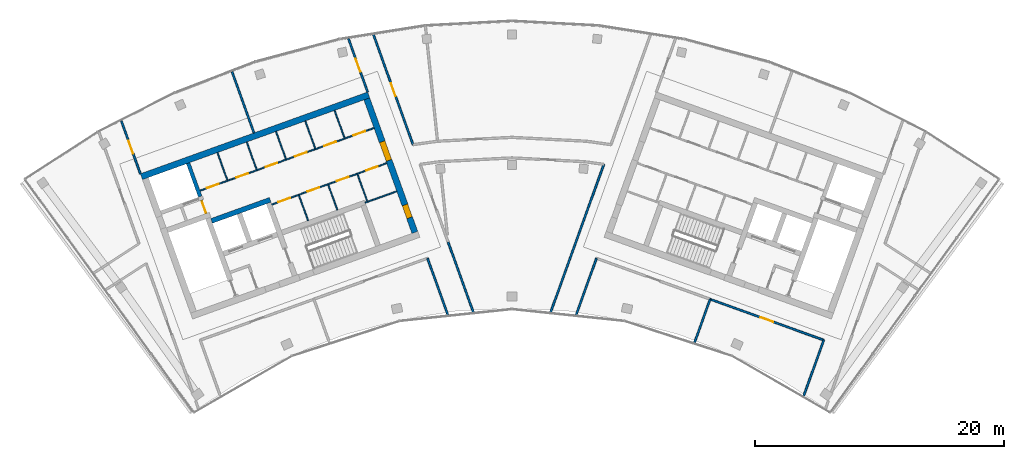
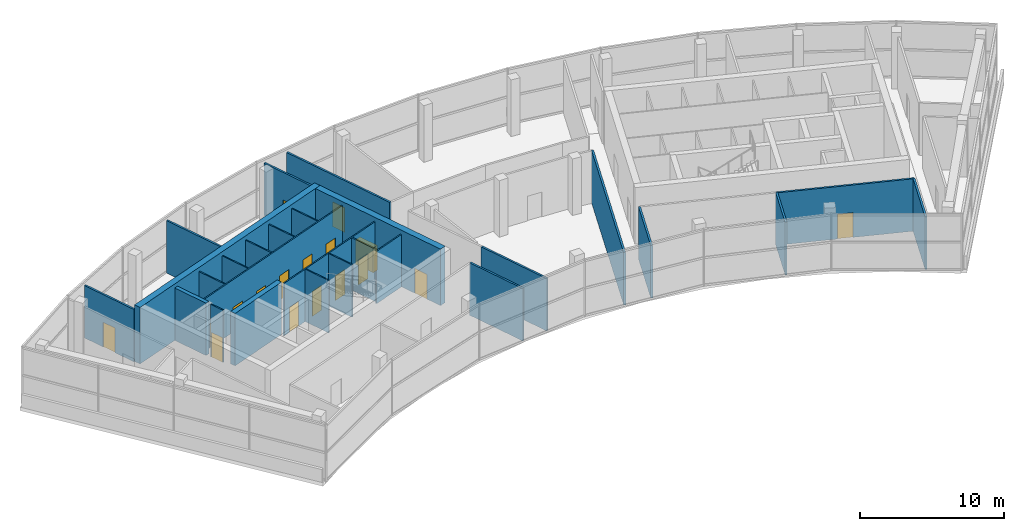
# One storey, part 9 of 13: 27 walls, 17 doors, 17 openings.
"""IFC4 building model written with IfcOpenShell, lengths in metres."""

from ifc_helpers import new_model, si_unit, direction, frame, frame_2d, origin, place, context, subcontext, project, spatial, rectangle, extrude, material, layer, layer_set, type_object, element, fill, save


model = new_model("IFC4")

# Units and contexts
model_context = context("Model", 3, precision=1e-05, world=origin(), true_north=direction((0.0, 1.0)))
body_context = subcontext(model_context, "Body", "Model", "MODEL_VIEW")
ifc_project = project(units=[si_unit("LENGTHUNIT", "METRE"), si_unit("AREAUNIT", "SQUARE_METRE"), si_unit("VOLUMEUNIT", "CUBIC_METRE"), si_unit("PLANEANGLEUNIT", "RADIAN"), si_unit("MASSUNIT", "GRAM", prefix="KILO")], contexts=[model_context])

# Site, building, storey
site_placement = place(None, origin())
site = spatial("IfcSite", under=ifc_project, at=site_placement, CompositionType="ELEMENT")
building_placement = place(site_placement, origin())
building = spatial("IfcBuilding", under=site, at=building_placement, Name="Stone Belt Terrace Tower", CompositionType="ELEMENT")
storey_placement = place(building_placement, frame((0.0, 0.0, 332.60009765625)))
storey = spatial("IfcBuildingStorey", under=building, at=storey_placement, Name="L79", CompositionType="ELEMENT", Elevation=332.60009765625)

# Wall, opening, door
ifc_material_1 = material(Name="Plasterboard partition")
ifc_layer_1 = layer(ifc_material_1, 0.10009765625)
ifc_layer_set_1 = layer_set([ifc_layer_1], Name="Core partition 100")
wall_type_1 = type_object("IfcWallType", Name="Core partition 100", PredefinedType="PARTITIONING", material=ifc_layer_set_1)
wall_1_placement = place(storey_placement, frame((-24.555908203125, 51.10400390625, 0.0), z_axis=(0.0, 0.0, 1.0), x_axis=(-0.338621735342, 0.94092258999, 0.0)))
wall_1 = element("IfcWall", 1, at=wall_1_placement, inside=storey, type_object=wall_type_1, Name="Core A wall", PredefinedType="PARTITIONING", context=body_context, shape_type="SweptSolid", body=[
    extrude(rectangle(XDim=1.14990234375, YDim=0.10009765625, at=frame_2d((0.574951171875, 0.0))), origin(), (0.0, 0.0, 1.0), 4.449951171875),
])
opening_1_placement = place(wall_1_placement, frame((0.050048828125, 0.0, 0.0)))
opening_1 = element("IfcOpeningElement", 2, at=opening_1_placement, cuts=wall_1, Name="Opening L79-C12", PredefinedType="OPENING", context=body_context, shape_type="SweptSolid", body=[
    extrude(rectangle(XDim=1.0, YDim=2.10009765625, at=frame_2d((0.5, 1.050048828125))), frame((0.0, 0.06005859375, 0.0), z_axis=(0.0, -1.0, 0.0), x_axis=(1.0, 0.0, 0.0)), (0.0, 0.0, 1.0), 0.1201171875),
])
ifc_material_2 = material(Name="Timber door leaf", Category="wood")
door_type_1 = type_object("IfcDoorType", Name="Core room door 1000", OperationType="SINGLE_SWING_LEFT", PredefinedType="DOOR", material=ifc_material_2)
door_1_placement = place(opening_1_placement, origin())
door_1 = element("IfcDoor", 3, at=door_1_placement, inside=storey, type_object=door_type_1, Name="Service lift lobby door core A", OperationType="SINGLE_SWING_LEFT", OverallHeight=2.10009765625, OverallWidth=1.0, PredefinedType="DOOR", context=body_context, shape_type="SweptSolid", body=[
    extrude(rectangle(XDim=1.0, YDim=2.10009765625, at=frame_2d((0.5, 1.050048828125))), frame((0.0, 0.02490234375, 0.0), z_axis=(0.0, -1.0, 0.0), x_axis=(1.0, 0.0, 0.0)), (0.0, 0.0, 1.0), 0.050048828125),
])
fill(opening_1, door_1)

# Wall, openings, doors
wall_2_placement = place(storey_placement, frame((-25.05810546875, 52.9423828125, 0.0), z_axis=(0.0, 0.0, 1.0), x_axis=(0.940918215764, 0.338633889685, 0.0)))
wall_2 = element("IfcWall", 4, at=wall_2_placement, inside=storey, type_object=wall_type_1, Name="Core A wall", PredefinedType="PARTITIONING", context=body_context, shape_type="SweptSolid", body=[
    extrude(rectangle(XDim=14.850341796875, YDim=0.10009765625, at=frame_2d((7.42529296875, 0.0))), origin(), (0.0, 0.0, 1.0), 4.449951171875),
])
opening_2_placement = place(wall_2_placement, frame((0.60009765625, 0.0, 0.0)))
opening_2 = element("IfcOpeningElement", 5, at=opening_2_placement, cuts=wall_2, Name="Opening L79-C01", PredefinedType="OPENING", context=body_context, shape_type="SweptSolid", body=[
    extrude(rectangle(XDim=1.0, YDim=2.10009765625, at=frame_2d((0.5, 1.050048828125))), frame((0.0, 0.06005859375, 0.0), z_axis=(0.0, -1.0, 0.0), x_axis=(1.0, 0.0, 0.0)), (0.0, 0.0, 1.0), 0.1201171875),
])
opening_3_placement = place(wall_2_placement, frame((3.10009765625, 0.0, 0.0)))
opening_3 = element("IfcOpeningElement", 6, at=opening_3_placement, cuts=wall_2, Name="Opening L79-C02", PredefinedType="OPENING", context=body_context, shape_type="SweptSolid", body=[
    extrude(rectangle(XDim=1.0, YDim=2.10009765625, at=frame_2d((0.5, 1.050048828125))), frame((0.0, 0.06005859375, 0.0), z_axis=(0.0, -1.0, 0.0), x_axis=(1.0, 0.0, 0.0)), (0.0, 0.0, 1.0), 0.1201171875),
])
opening_4_placement = place(wall_2_placement, frame((5.60009765625, 0.0, 0.0)))
opening_4 = element("IfcOpeningElement", 7, at=opening_4_placement, cuts=wall_2, Name="Opening L79-C03", PredefinedType="OPENING", context=body_context, shape_type="SweptSolid", body=[
    extrude(rectangle(XDim=1.0, YDim=2.10009765625, at=frame_2d((0.5, 1.050048828125))), frame((0.0, 0.06005859375, 0.0), z_axis=(0.0, -1.0, 0.0), x_axis=(1.0, 0.0, 0.0)), (0.0, 0.0, 1.0), 0.1201171875),
])
opening_5_placement = place(wall_2_placement, frame((8.10009765625, 0.0, 0.0)))
opening_5 = element("IfcOpeningElement", 8, at=opening_5_placement, cuts=wall_2, Name="Opening L79-C04", PredefinedType="OPENING", context=body_context, shape_type="SweptSolid", body=[
    extrude(rectangle(XDim=1.0, YDim=2.10009765625, at=frame_2d((0.5, 1.050048828125))), frame((0.0, 0.06005859375, 0.0), z_axis=(0.0, -1.0, 0.0), x_axis=(1.0, 0.0, 0.0)), (0.0, 0.0, 1.0), 0.1201171875),
])
opening_6_placement = place(wall_2_placement, frame((10.60009765625, 0.0, 0.0)))
opening_6 = element("IfcOpeningElement", 9, at=opening_6_placement, cuts=wall_2, Name="Opening L79-C05", PredefinedType="OPENING", context=body_context, shape_type="SweptSolid", body=[
    extrude(rectangle(XDim=1.0, YDim=2.10009765625, at=frame_2d((0.5, 1.050048828125))), frame((0.0, 0.06005859375, 0.0), z_axis=(0.0, -1.0, 0.0), x_axis=(1.0, 0.0, 0.0)), (0.0, 0.0, 1.0), 0.1201171875),
])
opening_7_placement = place(wall_2_placement, frame((13.10009765625, 0.0, 0.0)))
opening_7 = element("IfcOpeningElement", 10, at=opening_7_placement, cuts=wall_2, Name="Opening L79-C06", PredefinedType="OPENING", context=body_context, shape_type="SweptSolid", body=[
    extrude(rectangle(XDim=1.0, YDim=2.10009765625, at=frame_2d((0.5, 1.050048828125))), frame((0.0, 0.06005859375, 0.0), z_axis=(0.0, -1.0, 0.0), x_axis=(1.0, 0.0, 0.0)), (0.0, 0.0, 1.0), 0.1201171875),
])
door_2_placement = place(opening_2_placement, origin())
door_2 = element("IfcDoor", 11, at=door_2_placement, inside=storey, type_object=door_type_1, Name="Door to Electrical room core A", OperationType="SINGLE_SWING_LEFT", OverallHeight=2.10009765625, OverallWidth=1.0, PredefinedType="DOOR", context=body_context, shape_type="SweptSolid", body=[
    extrude(rectangle(XDim=1.0, YDim=2.10009765625, at=frame_2d((0.5, 1.050048828125))), frame((0.0, 0.02490234375, 0.0), z_axis=(0.0, -1.0, 0.0), x_axis=(1.0, 0.0, 0.0)), (0.0, 0.0, 1.0), 0.050048828125),
])
fill(opening_2, door_2)
door_3_placement = place(opening_3_placement, origin())
door_3 = element("IfcDoor", 12, at=door_3_placement, inside=storey, type_object=door_type_1, Name="Door to Ventilation plant room core A", OperationType="SINGLE_SWING_RIGHT", OverallHeight=2.10009765625, OverallWidth=1.0, PredefinedType="DOOR", context=body_context, shape_type="SweptSolid", body=[
    extrude(rectangle(XDim=1.0, YDim=2.10009765625, at=frame_2d((0.5, 1.050048828125))), frame((0.0, 0.02490234375, 0.0), z_axis=(0.0, -1.0, 0.0), x_axis=(1.0, 0.0, 0.0)), (0.0, 0.0, 1.0), 0.050048828125),
])
fill(opening_3, door_3)
door_4_placement = place(opening_4_placement, origin())
door_4 = element("IfcDoor", 13, at=door_4_placement, inside=storey, type_object=door_type_1, Name="Door to Services store core A", OperationType="SINGLE_SWING_LEFT", OverallHeight=2.10009765625, OverallWidth=1.0, PredefinedType="DOOR", context=body_context, shape_type="SweptSolid", body=[
    extrude(rectangle(XDim=1.0, YDim=2.10009765625, at=frame_2d((0.5, 1.050048828125))), frame((0.0, 0.02490234375, 0.0), z_axis=(0.0, -1.0, 0.0), x_axis=(1.0, 0.0, 0.0)), (0.0, 0.0, 1.0), 0.050048828125),
])
fill(opening_4, door_4)
door_5_placement = place(opening_5_placement, origin())
door_5 = element("IfcDoor", 14, at=door_5_placement, inside=storey, type_object=door_type_1, Name="Door to Server room core A", OperationType="SINGLE_SWING_RIGHT", OverallHeight=2.10009765625, OverallWidth=1.0, PredefinedType="DOOR", context=body_context, shape_type="SweptSolid", body=[
    extrude(rectangle(XDim=1.0, YDim=2.10009765625, at=frame_2d((0.5, 1.050048828125))), frame((0.0, 0.02490234375, 0.0), z_axis=(0.0, -1.0, 0.0), x_axis=(1.0, 0.0, 0.0)), (0.0, 0.0, 1.0), 0.050048828125),
])
fill(opening_5, door_5)
door_6_placement = place(opening_6_placement, origin())
door_6 = element("IfcDoor", 15, at=door_6_placement, inside=storey, type_object=door_type_1, Name="Door to Plant room core A", OperationType="SINGLE_SWING_LEFT", OverallHeight=2.10009765625, OverallWidth=1.0, PredefinedType="DOOR", context=body_context, shape_type="SweptSolid", body=[
    extrude(rectangle(XDim=1.0, YDim=2.10009765625, at=frame_2d((0.5, 1.050048828125))), frame((0.0, 0.02490234375, 0.0), z_axis=(0.0, -1.0, 0.0), x_axis=(1.0, 0.0, 0.0)), (0.0, 0.0, 1.0), 0.050048828125),
])
fill(opening_6, door_6)
door_7_placement = place(opening_7_placement, origin())
door_7 = element("IfcDoor", 16, at=door_7_placement, inside=storey, type_object=door_type_1, Name="Door to Electrical room core A", OperationType="SINGLE_SWING_RIGHT", OverallHeight=2.10009765625, OverallWidth=1.0, PredefinedType="DOOR", context=body_context, shape_type="SweptSolid", body=[
    extrude(rectangle(XDim=1.0, YDim=2.10009765625, at=frame_2d((0.5, 1.050048828125))), frame((0.0, 0.02490234375, 0.0), z_axis=(0.0, -1.0, 0.0), x_axis=(1.0, 0.0, 0.0)), (0.0, 0.0, 1.0), 0.050048828125),
])
fill(opening_7, door_7)

# Wall
wall_3_placement = place(storey_placement, frame((-22.86376953125, 53.785400390625, 0.0), z_axis=(0.0, 0.0, 1.0), x_axis=(-0.338579668317, 0.940937728121, 0.0)))
element("IfcWall", 17, at=wall_3_placement, inside=storey, type_object=wall_type_1, Name="Core A wall", PredefinedType="PARTITIONING", context=body_context, shape_type="SweptSolid", body=[
    extrude(rectangle(XDim=2.35009765625, YDim=0.10009765625, at=frame_2d((1.175048828125, 0.0))), origin(), (0.0, 0.0, 1.0), 4.449951171875),
])

# Wall, openings, doors
wall_4_placement = place(storey_placement, frame((-19.29052734375, 51.829833984375, 0.0), z_axis=(0.0, 0.0, 1.0), x_axis=(0.940925833398, 0.338612722803, 0.0)))
wall_4 = element("IfcWall", 18, at=wall_4_placement, inside=storey, type_object=wall_type_1, Name="Core A wall", PredefinedType="PARTITIONING", context=body_context, shape_type="SweptSolid", body=[
    extrude(rectangle(XDim=9.7998046875, YDim=0.10009765625, at=frame_2d((4.89990234375, 0.0))), origin(), (0.0, 0.0, 1.0), 4.449951171875),
])
opening_8_placement = place(wall_4_placement, frame((0.550048828125, 0.0, 0.0)))
opening_8 = element("IfcOpeningElement", 19, at=opening_8_placement, cuts=wall_4, Name="Opening L79-C07", PredefinedType="OPENING", context=body_context, shape_type="SweptSolid", body=[
    extrude(rectangle(XDim=1.0, YDim=2.10009765625, at=frame_2d((0.5, 1.050048828125))), frame((0.0, 0.06005859375, 0.0), z_axis=(0.0, -1.0, 0.0), x_axis=(1.0, 0.0, 0.0)), (0.0, 0.0, 1.0), 0.1201171875),
])
opening_9_placement = place(wall_4_placement, frame((3.050048828125, 0.0, 0.0)))
opening_9 = element("IfcOpeningElement", 20, at=opening_9_placement, cuts=wall_4, Name="Opening L79-C08", PredefinedType="OPENING", context=body_context, shape_type="SweptSolid", body=[
    extrude(rectangle(XDim=1.0, YDim=2.10009765625, at=frame_2d((0.5, 1.050048828125))), frame((0.0, 0.06005859375, 0.0), z_axis=(0.0, -1.0, 0.0), x_axis=(1.0, 0.0, 0.0)), (0.0, 0.0, 1.0), 0.1201171875),
])
opening_10_placement = place(wall_4_placement, frame((5.550048828125, 0.0, 0.0)))
opening_10 = element("IfcOpeningElement", 21, at=opening_10_placement, cuts=wall_4, Name="Opening L79-C09", PredefinedType="OPENING", context=body_context, shape_type="SweptSolid", body=[
    extrude(rectangle(XDim=1.0, YDim=2.10009765625, at=frame_2d((0.5, 1.050048828125))), frame((0.0, 0.06005859375, 0.0), z_axis=(0.0, -1.0, 0.0), x_axis=(1.0, 0.0, 0.0)), (0.0, 0.0, 1.0), 0.1201171875),
])
opening_11_placement = place(wall_4_placement, frame((8.050048828125, 0.0, 0.0)))
opening_11 = element("IfcOpeningElement", 22, at=opening_11_placement, cuts=wall_4, Name="Opening L79-C10", PredefinedType="OPENING", context=body_context, shape_type="SweptSolid", body=[
    extrude(rectangle(XDim=1.0, YDim=2.10009765625, at=frame_2d((0.5, 1.050048828125))), frame((0.0, 0.06005859375, 0.0), z_axis=(0.0, -1.0, 0.0), x_axis=(1.0, 0.0, 0.0)), (0.0, 0.0, 1.0), 0.1201171875),
])
door_8_placement = place(opening_8_placement, origin())
door_8 = element("IfcDoor", 23, at=door_8_placement, inside=storey, type_object=door_type_1, Name="Door to Ventilation plant room core A", OperationType="SINGLE_SWING_LEFT", OverallHeight=2.10009765625, OverallWidth=1.0, PredefinedType="DOOR", context=body_context, shape_type="SweptSolid", body=[
    extrude(rectangle(XDim=1.0, YDim=2.10009765625, at=frame_2d((0.5, 1.050048828125))), frame((0.0, 0.02490234375, 0.0), z_axis=(0.0, -1.0, 0.0), x_axis=(1.0, 0.0, 0.0)), (0.0, 0.0, 1.0), 0.050048828125),
])
fill(opening_8, door_8)
door_9_placement = place(opening_9_placement, origin())
door_9 = element("IfcDoor", 24, at=door_9_placement, inside=storey, type_object=door_type_1, Name="Door to Services store core A", OperationType="SINGLE_SWING_RIGHT", OverallHeight=2.10009765625, OverallWidth=1.0, PredefinedType="DOOR", context=body_context, shape_type="SweptSolid", body=[
    extrude(rectangle(XDim=1.0, YDim=2.10009765625, at=frame_2d((0.5, 1.050048828125))), frame((0.0, 0.02490234375, 0.0), z_axis=(0.0, -1.0, 0.0), x_axis=(1.0, 0.0, 0.0)), (0.0, 0.0, 1.0), 0.050048828125),
])
fill(opening_9, door_9)
door_10_placement = place(opening_10_placement, origin())
door_10 = element("IfcDoor", 25, at=door_10_placement, inside=storey, type_object=door_type_1, Name="Door to Server room core A", OperationType="SINGLE_SWING_LEFT", OverallHeight=2.10009765625, OverallWidth=1.0, PredefinedType="DOOR", context=body_context, shape_type="SweptSolid", body=[
    extrude(rectangle(XDim=1.0, YDim=2.10009765625, at=frame_2d((0.5, 1.050048828125))), frame((0.0, 0.02490234375, 0.0), z_axis=(0.0, -1.0, 0.0), x_axis=(1.0, 0.0, 0.0)), (0.0, 0.0, 1.0), 0.050048828125),
])
fill(opening_10, door_10)
door_11_placement = place(opening_11_placement, origin())
door_11 = element("IfcDoor", 26, at=door_11_placement, inside=storey, type_object=door_type_1, Name="Door to Plant room core A", OperationType="SINGLE_SWING_RIGHT", OverallHeight=2.10009765625, OverallWidth=1.0, PredefinedType="DOOR", context=body_context, shape_type="SweptSolid", body=[
    extrude(rectangle(XDim=1.0, YDim=2.10009765625, at=frame_2d((0.5, 1.050048828125))), frame((0.0, 0.02490234375, 0.0), z_axis=(0.0, -1.0, 0.0), x_axis=(1.0, 0.0, 0.0)), (0.0, 0.0, 1.0), 0.050048828125),
])
fill(opening_11, door_11)

# Walls
wall_5_placement = place(storey_placement, frame((-20.511474609375, 54.6318359375, 0.0), z_axis=(0.0, 0.0, 1.0), x_axis=(-0.338579668317, 0.940937728121, 0.0)))
element("IfcWall", 27, at=wall_5_placement, inside=storey, type_object=wall_type_1, Name="Core A wall", PredefinedType="PARTITIONING", context=body_context, shape_type="SweptSolid", body=[
    extrude(rectangle(XDim=2.35009765625, YDim=0.10009765625, at=frame_2d((1.175048828125, 0.0))), origin(), (0.0, 0.0, 1.0), 4.449951171875),
])
wall_6_placement = place(storey_placement, frame((-16.38134765625, 50.53857421875, 0.0), z_axis=(0.0, 0.0, 1.0), x_axis=(-0.338622960269, 0.940922149159, 0.0)))
element("IfcWall", 28, at=wall_6_placement, inside=storey, type_object=wall_type_1, Name="Core A wall", PredefinedType="PARTITIONING", context=body_context, shape_type="SweptSolid", body=[
    extrude(rectangle(XDim=2.14990234375, YDim=0.10009765625, at=frame_2d((1.074951171875, 0.0))), origin(), (0.0, 0.0, 1.0), 4.449951171875),
])
wall_7_placement = place(storey_placement, frame((-18.1591796875, 55.478515625, 0.0), z_axis=(0.0, 0.0, 1.0), x_axis=(-0.338579668317, 0.940937728121, 0.0)))
element("IfcWall", 29, at=wall_7_placement, inside=storey, type_object=wall_type_1, Name="Core A wall", PredefinedType="PARTITIONING", context=body_context, shape_type="SweptSolid", body=[
    extrude(rectangle(XDim=2.35009765625, YDim=0.10009765625, at=frame_2d((1.175048828125, 0.0))), origin(), (0.0, 0.0, 1.0), 4.449951171875),
])
wall_8_placement = place(storey_placement, frame((-14.029052734375, 51.38525390625, 0.0), z_axis=(0.0, 0.0, 1.0), x_axis=(-0.338622960269, 0.940922149159, 0.0)))
element("IfcWall", 30, at=wall_8_placement, inside=storey, type_object=wall_type_1, Name="Core A wall", PredefinedType="PARTITIONING", context=body_context, shape_type="SweptSolid", body=[
    extrude(rectangle(XDim=2.14990234375, YDim=0.10009765625, at=frame_2d((1.074951171875, 0.0))), origin(), (0.0, 0.0, 1.0), 4.449951171875),
])
wall_9_placement = place(storey_placement, frame((-15.806884765625, 56.324951171875, 0.0), z_axis=(0.0, 0.0, 1.0), x_axis=(-0.338579668317, 0.940937728121, 0.0)))
element("IfcWall", 31, at=wall_9_placement, inside=storey, type_object=wall_type_1, Name="Core A wall", PredefinedType="PARTITIONING", context=body_context, shape_type="SweptSolid", body=[
    extrude(rectangle(XDim=2.35009765625, YDim=0.10009765625, at=frame_2d((1.175048828125, 0.0))), origin(), (0.0, 0.0, 1.0), 4.449951171875),
])
wall_10_placement = place(storey_placement, frame((-11.797119140625, 51.975830078125, 0.0), z_axis=(0.0, 0.0, 1.0), x_axis=(0.940910465161, 0.33865542451, 0.0)))
element("IfcWall", 32, at=wall_10_placement, inside=storey, type_object=wall_type_1, Name="Core A wall", PredefinedType="PARTITIONING", context=body_context, shape_type="SweptSolid", body=[
    extrude(rectangle(XDim=2.69970703125, YDim=0.10009765625, at=frame_2d((1.349853515625, 0.0))), origin(), (0.0, 0.0, 1.0), 4.449951171875),
])
wall_11_placement = place(storey_placement, frame((-11.6259765625, 52.090576171875, 0.0), z_axis=(0.0, 0.0, 1.0), x_axis=(-0.338621735342, 0.94092258999, 0.0)))
element("IfcWall", 33, at=wall_11_placement, inside=storey, type_object=wall_type_1, Name="Core A wall", PredefinedType="PARTITIONING", context=body_context, shape_type="SweptSolid", body=[
    extrude(rectangle(XDim=2.300048828125, YDim=0.10009765625, at=frame_2d((1.14990234375, 0.0))), origin(), (0.0, 0.0, 1.0), 4.449951171875),
])
wall_12_placement = place(storey_placement, frame((-13.45458984375, 57.171630859375, 0.0), z_axis=(0.0, 0.0, 1.0), x_axis=(-0.338579668317, 0.940937728121, 0.0)))
element("IfcWall", 34, at=wall_12_placement, inside=storey, type_object=wall_type_1, Name="Core A wall", PredefinedType="PARTITIONING", context=body_context, shape_type="SweptSolid", body=[
    extrude(rectangle(XDim=2.35009765625, YDim=0.10009765625, at=frame_2d((1.175048828125, 0.0))), origin(), (0.0, 0.0, 1.0), 4.449951171875),
])
ifc_material_3 = material(Name="Concrete B60", Category="concrete")
ifc_layer_2 = layer(ifc_material_3, 0.5)
ifc_layer_set_2 = layer_set([ifc_layer_2], Name="Core wall 500 B60")
wall_type_2 = type_object("IfcWallType", Name="Core wall 500 B60", PredefinedType="SHEAR", material=ifc_layer_set_2)
wall_13_placement = place(storey_placement, frame((-29.76611328125, 54.064453125, 0.0), z_axis=(0.0, 0.0, 1.0), x_axis=(0.940921417488, 0.338624993336, 0.0)))
element("IfcWall", 35, at=wall_13_placement, inside=storey, type_object=wall_type_2, Name="Core A wall convex L79", PredefinedType="SHEAR", context=body_context, shape_type="SweptSolid", body=[
    extrude(rectangle(XDim=19.400146484375, YDim=0.5, at=frame_2d((9.7001953125, 0.0))), origin(), (0.0, 0.0, 1.0), 4.7998046875),
])

# Wall, openings, doors
wall_14_placement = place(storey_placement, frame((-7.802490234375, 49.58740234375, 0.0), z_axis=(0.0, 0.0, 1.0), x_axis=(-0.338625431531, 0.940921259788, 0.0)))
wall_14 = element("IfcWall", 36, at=wall_14_placement, inside=storey, type_object=wall_type_2, Name="Core A wall end_b L79", PredefinedType="SHEAR", context=body_context, shape_type="SweptSolid", body=[
    extrude(rectangle(XDim=11.400146484375, YDim=0.5, at=frame_2d((5.7001953125, 0.0))), origin(), (0.0, 0.0, 1.0), 4.7998046875),
])
opening_12_placement = place(wall_14_placement, frame((6.14990234375, 0.0, 0.0)))
opening_12 = element("IfcOpeningElement", 37, at=opening_12_placement, cuts=wall_14, Name="Opening L79-C13", PredefinedType="OPENING", context=body_context, shape_type="SweptSolid", body=[
    extrude(rectangle(XDim=1.60009765625, YDim=2.10009765625, at=frame_2d((0.800048828125, 1.050048828125))), frame((0.0, 0.260009765625, 0.0), z_axis=(0.0, -1.0, 0.0), x_axis=(1.0, 0.0, 0.0)), (0.0, 0.0, 1.0), 0.52001953125),
])
opening_13_placement = place(wall_14_placement, frame((1.25, 0.0, 0.0)))
opening_13 = element("IfcOpeningElement", 38, at=opening_13_placement, cuts=wall_14, Name="Opening L79-C19", PredefinedType="OPENING", context=body_context, shape_type="SweptSolid", body=[
    extrude(rectangle(XDim=1.10009765625, YDim=2.10009765625, at=frame_2d((0.550048828125, 1.050048828125))), frame((0.0, 0.260009765625, 0.0), z_axis=(0.0, -1.0, 0.0), x_axis=(1.0, 0.0, 0.0)), (0.0, 0.0, 1.0), 0.52001953125),
])
door_type_2 = type_object("IfcDoorType", Name="Core room door 1100", OperationType="SINGLE_SWING_LEFT", PredefinedType="DOOR", material=ifc_material_2)
door_12_placement = place(opening_13_placement, origin())
door_12 = element("IfcDoor", 39, at=door_12_placement, inside=storey, type_object=door_type_2, Name="Door to Mechanical plant room core A", OperationType="SINGLE_SWING_LEFT", OverallHeight=2.10009765625, OverallWidth=1.10009765625, PredefinedType="DOOR", context=body_context, shape_type="SweptSolid", body=[
    extrude(rectangle(XDim=1.10009765625, YDim=2.10009765625, at=frame_2d((0.550048828125, 1.050048828125))), frame((0.0, 0.22998046875, 0.0), z_axis=(0.0, -1.0, 0.0), x_axis=(1.0, 0.0, 0.0)), (0.0, 0.0, 1.0), 0.4599609375),
])
fill(opening_13, door_12)
ifc_material_4 = material(Name="Glazed aluminium door leaf", Category="aluminium")
door_type_3 = type_object("IfcDoorType", Name="Lift lobby entrance door 1600", OperationType="DOUBLE_DOOR_SINGLE_SWING", PredefinedType="DOOR", material=ifc_material_4)
door_13_placement = place(opening_12_placement, origin())
door_13 = element("IfcDoor", 40, at=door_13_placement, inside=storey, type_object=door_type_3, Name="Lift lobby entrance door core A", OperationType="DOUBLE_DOOR_SINGLE_SWING", OverallHeight=2.10009765625, OverallWidth=1.60009765625, PredefinedType="DOOR", context=body_context, shape_type="SweptSolid", body=[
    extrude(rectangle(XDim=1.60009765625, YDim=2.10009765625, at=frame_2d((0.800048828125, 1.050048828125))), frame((0.0, 0.22998046875, 0.0), z_axis=(0.0, -1.0, 0.0), x_axis=(1.0, 0.0, 0.0)), (0.0, 0.0, 1.0), 0.4599609375),
])
fill(opening_12, door_13)

# Walls
ifc_material_5 = material(Name="Concrete B80", Category="concrete")
ifc_layer_3 = layer(ifc_material_5, 0.39990234375)
ifc_layer_set_3 = layer_set([ifc_layer_3], Name="Fire-fighting lift shaft wall 400")
wall_type_3 = type_object("IfcWallType", Name="Fire-fighting lift shaft wall 400", PredefinedType="SHEAR", material=ifc_layer_set_3)
wall_15_placement = place(storey_placement, frame((-24.130615234375, 50.512939453125, 0.0), z_axis=(0.0, 0.0, 1.0), x_axis=(0.94091168377, 0.338652038744, 0.0)))
element("IfcWall", 41, at=wall_15_placement, inside=storey, type_object=wall_type_3, Name="Core A wall", PredefinedType="SHEAR", context=body_context, shape_type="SweptSolid", body=[
    extrude(rectangle(XDim=5.000244140625, YDim=0.39990234375, at=frame_2d((2.5, 0.0))), origin(), (0.0, 0.0, 1.0), 4.449951171875),
])
ifc_layer_4 = layer(ifc_material_5, 0.300048828125)
ifc_layer_set_4 = layer_set([ifc_layer_4], Name="Lift shaft wall 300")
wall_type_4 = type_object("IfcWallType", Name="Lift shaft wall 300", PredefinedType="SHEAR", material=ifc_layer_set_4)
wall_16_placement = place(storey_placement, frame((-25.046875, 52.46826171875, 0.0), z_axis=(0.0, 0.0, 1.0), x_axis=(-0.338549588058, 0.940948551423, 0.0)))
element("IfcWall", 42, at=wall_16_placement, inside=storey, type_object=wall_type_4, Name="Core A wall", PredefinedType="SHEAR", context=body_context, shape_type="SweptSolid", body=[
    extrude(rectangle(XDim=2.849853515625, YDim=0.300048828125, at=frame_2d((1.4248046875, 0.0))), origin(), (0.0, 0.0, 1.0), 4.449951171875),
])

# Wall, opening, door
ifc_material_6 = material(Name="Gypsum board partition")
ifc_layer_5 = layer(ifc_material_6, 0.14990234375)
ifc_layer_set_5 = layer_set([ifc_layer_5], Name="PARTITION 150 EI 60")
wall_type_5 = type_object("IfcWallType", Name="PARTITION 150 EI 60", PredefinedType="PARTITIONING", material=ifc_layer_set_5)
wall_17_placement = place(storey_placement, frame((-31.3779296875, 58.544189453125, 0.0), z_axis=(0.0, 0.0, 1.0), x_axis=(0.338516288838, -0.940960531686, 0.0)))
wall_17 = element("IfcWall", 43, at=wall_17_placement, inside=storey, type_object=wall_type_5, Name="L79/wall/i002", PredefinedType="PARTITIONING", context=body_context, shape_type="SweptSolid", body=[
    extrude(rectangle(XDim=4.510498046875, YDim=0.14990234375, at=frame_2d((2.25537109375, 0.0))), origin(), (0.0, 0.0, 1.0), 4.449951171875),
])
opening_14_placement = place(wall_17_placement, frame((1.705078125, 0.0, 0.0)))
opening_14 = element("IfcOpeningElement", 44, at=opening_14_placement, cuts=wall_17, Name="Opening D-C79-03", PredefinedType="OPENING", context=body_context, shape_type="SweptSolid", body=[
    extrude(rectangle(XDim=1.10009765625, YDim=2.10009765625, at=frame_2d((0.550048828125, 1.050048828125))), frame((0.0, 0.0849609375, 0.0), z_axis=(0.0, -1.0, 0.0), x_axis=(1.0, 0.0, 0.0)), (0.0, 0.0, 1.0), 0.169921875),
])
ifc_material_7 = material(Name="Steel fire door set", Category="steel")
door_type_4 = type_object("IfcDoorType", Name="SERVICE ROOM DOOR 1100 X 2100", OperationType="NOTDEFINED", PredefinedType="DOOR", material=ifc_material_7)
door_14_placement = place(opening_14_placement, origin())
door_14 = element("IfcDoor", 45, at=door_14_placement, inside=storey, type_object=door_type_4, Name="L79/door/i03", OperationType="SINGLE_SWING_RIGHT", OverallHeight=2.10009765625, OverallWidth=1.10009765625, PredefinedType="DOOR", context=body_context, shape_type="SweptSolid", body=[
    extrude(rectangle(XDim=1.10009765625, YDim=2.10009765625, at=frame_2d((0.550048828125, 1.050048828125))), frame((0.0, 0.02490234375, 0.0), z_axis=(0.0, -1.0, 0.0), x_axis=(1.0, 0.0, 0.0)), (0.0, 0.0, 1.0), 0.050048828125),
])
fill(opening_14, door_14)

# Wall
wall_18_placement = place(storey_placement, frame((-5.151123046875, 42.95849609375, 0.0), z_axis=(0.0, 0.0, 1.0), x_axis=(-0.338530173929, 0.940955536324, 0.0)))
element("IfcWall", 46, at=wall_18_placement, inside=storey, type_object=wall_type_5, Name="L79/wall/i007", PredefinedType="PARTITIONING", context=body_context, shape_type="SweptSolid", body=[
    extrude(rectangle(XDim=4.84130859375, YDim=0.14990234375, at=frame_2d((2.420654296875, 0.0))), origin(), (0.0, 0.0, 1.0), 4.449951171875),
])

# Wall, opening, door
wall_19_placement = place(storey_placement, frame((-11.596923828125, 60.868896484375, 0.0), z_axis=(0.0, 0.0, 1.0), x_axis=(-0.338590379807, 0.940933873714, 0.0)))
wall_19 = element("IfcWall", 47, at=wall_19_placement, inside=storey, type_object=wall_type_5, Name="L79/wall/i008", PredefinedType="PARTITIONING", context=body_context, shape_type="SweptSolid", body=[
    extrude(rectangle(XDim=4.55419921875, YDim=0.14990234375, at=frame_2d((2.277099609375, 0.0))), origin(), (0.0, 0.0, 1.0), 4.449951171875),
])
opening_15_placement = place(wall_19_placement, frame((1.72705078125, 0.0, 0.0)))
opening_15 = element("IfcOpeningElement", 48, at=opening_15_placement, cuts=wall_19, Name="Opening D-C79-04", PredefinedType="OPENING", context=body_context, shape_type="SweptSolid", body=[
    extrude(rectangle(XDim=1.10009765625, YDim=2.10009765625, at=frame_2d((0.550048828125, 1.050048828125))), frame((0.0, 0.0849609375, 0.0), z_axis=(0.0, -1.0, 0.0), x_axis=(1.0, 0.0, 0.0)), (0.0, 0.0, 1.0), 0.169921875),
])
door_15_placement = place(opening_15_placement, origin())
door_15 = element("IfcDoor", 49, at=door_15_placement, inside=storey, type_object=door_type_4, Name="L79/door/i04", OperationType="SINGLE_SWING_RIGHT", OverallHeight=2.10009765625, OverallWidth=1.10009765625, PredefinedType="DOOR", context=body_context, shape_type="SweptSolid", body=[
    extrude(rectangle(XDim=1.10009765625, YDim=2.10009765625, at=frame_2d((0.550048828125, 1.050048828125))), frame((0.0, 0.02490234375, 0.0), z_axis=(0.0, -1.0, 0.0), x_axis=(1.0, 0.0, 0.0)), (0.0, 0.0, 1.0), 0.050048828125),
])
fill(opening_15, door_15)

# Wall
wall_20_placement = place(storey_placement, frame((-5.1279296875, 48.797607421875, 0.0), z_axis=(0.0, 0.0, 1.0), x_axis=(0.338733932031, -0.94088220479, 0.0)))
element("IfcWall", 50, at=wall_20_placement, inside=storey, type_object=wall_type_5, Name="L79/wall/i010", PredefinedType="PARTITIONING", context=body_context, shape_type="SweptSolid", body=[
    extrude(rectangle(XDim=5.97705078125, YDim=0.14990234375, at=frame_2d((2.988525390625, 0.0))), origin(), (0.0, 0.0, 1.0), 4.449951171875),
])

# Wall, opening, door
wall_21_placement = place(storey_placement, frame((-11.12890625, 65.47216796875, 0.0), z_axis=(0.0, 0.0, 1.0), x_axis=(0.338667938609, -0.940905960954, 0.0)))
wall_21 = element("IfcWall", 51, at=wall_21_placement, inside=storey, type_object=wall_type_5, Name="L79/wall/i011", PredefinedType="PARTITIONING", context=body_context, shape_type="SweptSolid", body=[
    extrude(rectangle(XDim=9.395263671875, YDim=0.14990234375, at=frame_2d((4.69775390625, 0.0))), origin(), (0.0, 0.0, 1.0), 4.449951171875),
])
opening_16_placement = place(wall_21_placement, frame((4.147705078125, 0.0, 0.0)))
opening_16 = element("IfcOpeningElement", 52, at=opening_16_placement, cuts=wall_21, Name="Opening D-C79-13", PredefinedType="OPENING", context=body_context, shape_type="SweptSolid", body=[
    extrude(rectangle(XDim=1.10009765625, YDim=2.10009765625, at=frame_2d((0.550048828125, 1.050048828125))), frame((0.0, 0.0849609375, 0.0), z_axis=(0.0, -1.0, 0.0), x_axis=(1.0, 0.0, 0.0)), (0.0, 0.0, 1.0), 0.169921875),
])
door_16_placement = place(opening_16_placement, origin())
door_16 = element("IfcDoor", 53, at=door_16_placement, inside=storey, type_object=door_type_4, Name="L79/door/i13", OperationType="SINGLE_SWING_LEFT", OverallHeight=2.10009765625, OverallWidth=1.10009765625, PredefinedType="DOOR", context=body_context, shape_type="SweptSolid", body=[
    extrude(rectangle(XDim=1.10009765625, YDim=2.10009765625, at=frame_2d((0.550048828125, 1.050048828125))), frame((0.0, 0.02490234375, 0.0), z_axis=(0.0, -1.0, 0.0), x_axis=(1.0, 0.0, 0.0)), (0.0, 0.0, 1.0), 0.050048828125),
])
fill(opening_16, door_16)

# Walls
wall_22_placement = place(storey_placement, frame((-22.492919921875, 62.4990234375, 0.0), z_axis=(0.0, 0.0, 1.0), x_axis=(0.338615199904, -0.940924941956, 0.0)))
element("IfcWall", 54, at=wall_22_placement, inside=storey, type_object=wall_type_5, Name="L79/wall/i015", PredefinedType="PARTITIONING", context=body_context, shape_type="SweptSolid", body=[
    extrude(rectangle(XDim=5.2236328125, YDim=0.14990234375, at=frame_2d((2.61181640625, 0.0))), origin(), (0.0, 0.0, 1.0), 4.449951171875),
])
wall_23_placement = place(storey_placement, frame((6.7900390625, 47.513916015625, 0.0), z_axis=(0.0, 0.0, 1.0), x_axis=(-0.338530173929, -0.940955536324, 0.0)))
element("IfcWall", 55, at=wall_23_placement, inside=storey, type_object=wall_type_5, Name="L79/wall/i016", PredefinedType="PARTITIONING", context=body_context, shape_type="SweptSolid", body=[
    extrude(rectangle(XDim=4.84130859375, YDim=0.14990234375, at=frame_2d((2.420654296875, 0.0))), origin(), (0.0, 0.0, 1.0), 4.449951171875),
])
wall_24_placement = place(storey_placement, frame((3.10302734375, 43.173828125, 0.0), z_axis=(0.0, 0.0, 1.0), x_axis=(0.338676350547, 0.940902933134, 0.0)))
element("IfcWall", 56, at=wall_24_placement, inside=storey, type_object=wall_type_5, Name="L79/wall/i018", PredefinedType="PARTITIONING", context=body_context, shape_type="SweptSolid", body=[
    extrude(rectangle(XDim=12.6318359375, YDim=0.14990234375, at=frame_2d((6.31591796875, 0.0))), origin(), (0.0, 0.0, 1.0), 4.449951171875),
])
wall_25_placement = place(storey_placement, frame((23.421875, 36.435791015625, 0.0), z_axis=(0.0, 0.0, 1.0), x_axis=(0.338484933164, 0.940971811491, 0.0)))
element("IfcWall", 57, at=wall_25_placement, inside=storey, type_object=wall_type_5, Name="L79/wall/i020", PredefinedType="PARTITIONING", context=body_context, shape_type="SweptSolid", body=[
    extrude(rectangle(XDim=4.792236328125, YDim=0.14990234375, at=frame_2d((2.39599609375, 0.0))), origin(), (0.0, 0.0, 1.0), 4.449951171875),
])

# Wall, opening, door
wall_26_placement = place(storey_placement, frame((25.0419921875, 40.93896484375, 0.0), z_axis=(0.0, 0.0, 1.0), x_axis=(-0.940945435026, 0.338558249498, 0.0)))
wall_26 = element("IfcWall", 58, at=wall_26_placement, inside=storey, type_object=wall_type_5, Name="L79/wall/i027", PredefinedType="PARTITIONING", context=body_context, shape_type="SweptSolid", body=[
    extrude(rectangle(XDim=9.706298828125, YDim=0.14990234375, at=frame_2d((4.85302734375, 0.0))), origin(), (0.0, 0.0, 1.0), 4.449951171875),
])
opening_17_placement = place(wall_26_placement, frame((4.302978515625, 0.0, 0.0)))
opening_17 = element("IfcOpeningElement", 59, at=opening_17_placement, cuts=wall_26, Name="Opening D-C79-06", PredefinedType="OPENING", context=body_context, shape_type="SweptSolid", body=[
    extrude(rectangle(XDim=1.10009765625, YDim=2.10009765625, at=frame_2d((0.550048828125, 1.050048828125))), frame((0.0, 0.0849609375, 0.0), z_axis=(0.0, -1.0, 0.0), x_axis=(1.0, 0.0, 0.0)), (0.0, 0.0, 1.0), 0.169921875),
])
door_17_placement = place(opening_17_placement, origin())
door_17 = element("IfcDoor", 60, at=door_17_placement, inside=storey, type_object=door_type_4, Name="L79/door/i06", OperationType="SINGLE_SWING_LEFT", OverallHeight=2.10009765625, OverallWidth=1.10009765625, PredefinedType="DOOR", context=body_context, shape_type="SweptSolid", body=[
    extrude(rectangle(XDim=1.10009765625, YDim=2.10009765625, at=frame_2d((0.550048828125, 1.050048828125))), frame((0.0, 0.02490234375, 0.0), z_axis=(0.0, -1.0, 0.0), x_axis=(1.0, 0.0, 0.0)), (0.0, 0.0, 1.0), 0.050048828125),
])
fill(opening_17, door_17)

# Wall
wall_27_placement = place(storey_placement, frame((15.9150390625, 44.222900390625, 0.0), z_axis=(0.0, 0.0, 1.0), x_axis=(-0.338565939122, -0.940942668215, 0.0)))
element("IfcWall", 61, at=wall_27_placement, inside=storey, type_object=wall_type_5, Name="L79/wall/i028", PredefinedType="PARTITIONING", context=body_context, shape_type="SweptSolid", body=[
    extrude(rectangle(XDim=3.716552734375, YDim=0.14990234375, at=frame_2d((1.8583984375, 0.0))), origin(), (0.0, 0.0, 1.0), 4.449951171875),
])

save(model, "model.ifc")
